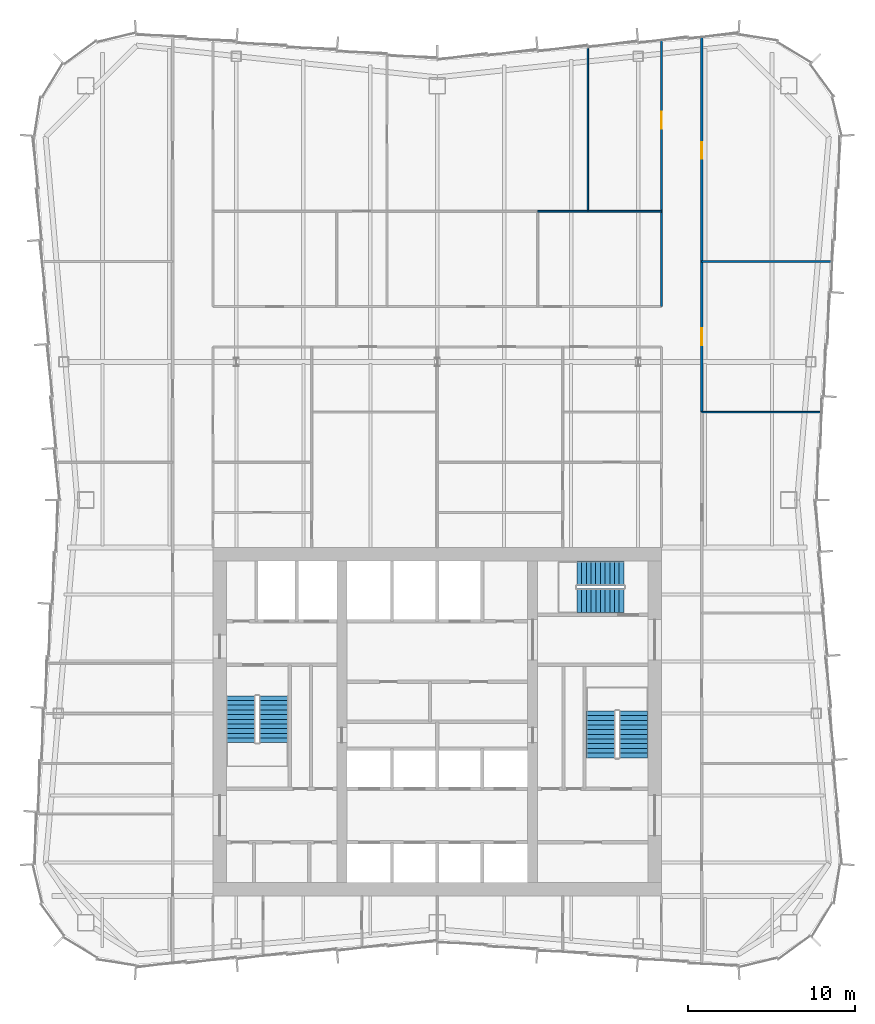
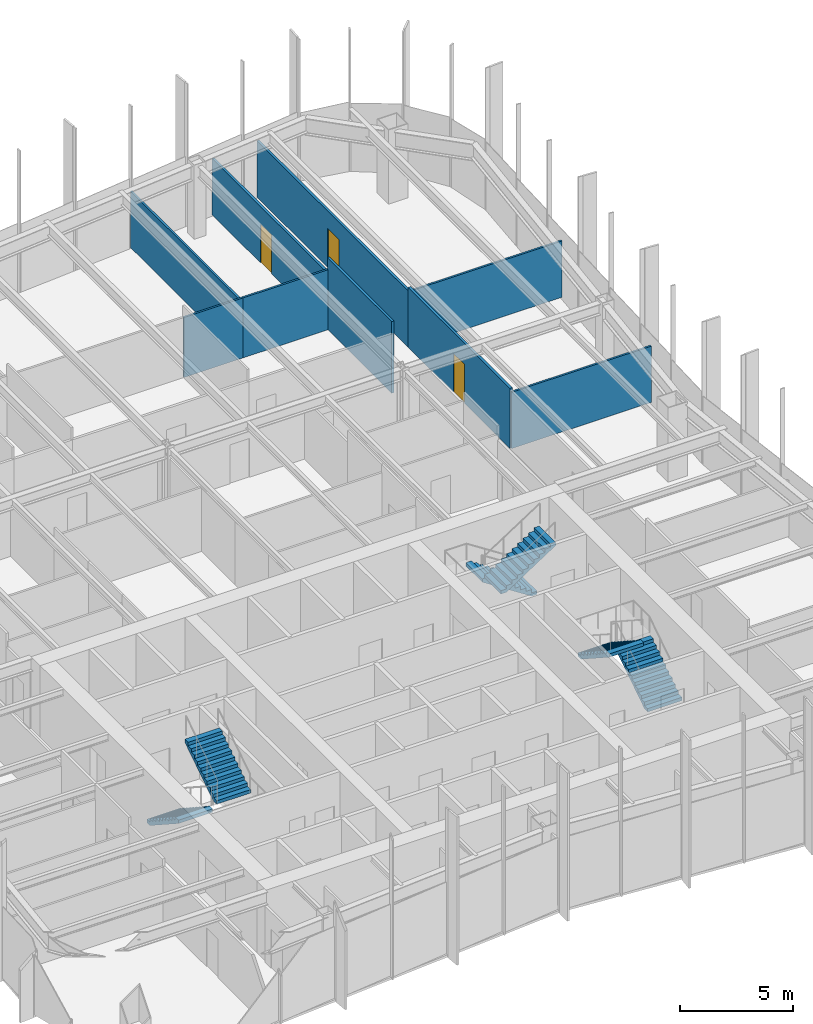
# One storey, part 14 of 15: 9 walls, 6 stair flights, 3 doors, 3 openings, 3 elements without a shape of their own.
"""IFC4 building model written with IfcOpenShell, lengths in metres."""

from ifc_helpers import new_model, si_unit, direction, frame, frame_2d, origin, place, context, subcontext, project, spatial, polyline, rectangle, outline, extrude, material, layer, layer_set, type_object, element, fill, aggregate, save


model = new_model("IFC4")

# Units and contexts
model_context = context("Model", 3, precision=1e-05, world=origin(), true_north=direction((0.0, 1.0)))
body_context = subcontext(model_context, "Body", "Model", "MODEL_VIEW")
ifc_project = project(units=[si_unit("LENGTHUNIT", "METRE"), si_unit("AREAUNIT", "SQUARE_METRE"), si_unit("VOLUMEUNIT", "CUBIC_METRE"), si_unit("PLANEANGLEUNIT", "RADIAN"), si_unit("MASSUNIT", "GRAM", prefix="KILO")], contexts=[model_context])

# Site, building, storey
site_placement = place(None, origin())
site = spatial("IfcSite", under=ifc_project, at=site_placement, CompositionType="ELEMENT")
building_placement = place(site_placement, origin())
building = spatial("IfcBuilding", under=site, at=building_placement, Name="Verdant Reach Tower", CompositionType="ELEMENT")
storey_placement = place(building_placement, frame((0.0, 0.0, 274.0)))
storey = spatial("IfcBuildingStorey", under=building, at=storey_placement, Name="L63", CompositionType="ELEMENT", Elevation=274.0)

# Walls
ifc_material_1 = material(Name="Gypsum board on steel studs", Category="steel")
ifc_layer_1 = layer(ifc_material_1, 0.10009765625)
ifc_layer_set_1 = layer_set([ifc_layer_1], Name="FL-W1 Partition 100")
wall_type_1 = type_object("IfcWallType", Name="FL-W1 Partition 100", PredefinedType="PARTITIONING", material=ifc_layer_set_1)
wall_1_placement = place(storey_placement, frame((22.942138671875, 46.5, 0.0), z_axis=(0.0, 0.0, 1.0), x_axis=(-1.0, 0.0, 0.0)))
element("IfcWall", 1, at=wall_1_placement, inside=storey, type_object=wall_type_1, Name="Partition 63.41", PredefinedType="PARTITIONING", context=body_context, shape_type="SweptSolid", body=[
    extrude(rectangle(XDim=7.14208984375, YDim=0.10009765625, at=frame_2d((3.571044921875, 0.0))), origin(), (0.0, 0.0, 1.0), 3.0400390625),
])
wall_2_placement = place(storey_placement, frame((23.562744140625, 55.5, 0.0), z_axis=(0.0, 0.0, 1.0), x_axis=(-1.0, 0.0, 0.0)))
element("IfcWall", 2, at=wall_2_placement, inside=storey, type_object=wall_type_1, Name="Partition 63.42", PredefinedType="PARTITIONING", context=body_context, shape_type="SweptSolid", body=[
    extrude(rectangle(XDim=7.7626953125, YDim=0.10009765625, at=frame_2d((3.88134765625, 0.0))), origin(), (0.0, 0.0, 1.0), 3.0400390625),
])
wall_3_placement = place(storey_placement, frame((9.0, 58.5, 0.0), z_axis=(0.0, 0.0, 1.0), x_axis=(-1.0, 0.0, 0.0)))
element("IfcWall", 3, at=wall_3_placement, inside=storey, type_object=wall_type_1, Name="Partition 63.72", PredefinedType="PARTITIONING", context=body_context, shape_type="SweptSolid", body=[
    extrude(rectangle(XDim=3.00390625, YDim=0.10009765625, at=frame_2d((1.501953125, 0.0))), origin(), (0.0, 0.0, 1.0), 3.239990234375),
])
wall_4_placement = place(storey_placement, frame((13.39990234375, 58.5, 0.0), z_axis=(0.0, 0.0, 1.0), x_axis=(-1.0, 0.0, 0.0)))
element("IfcWall", 4, at=wall_4_placement, inside=storey, type_object=wall_type_1, Name="Partition 63.73", PredefinedType="PARTITIONING", context=body_context, shape_type="SweptSolid", body=[
    extrude(rectangle(XDim=4.39990234375, YDim=0.10009765625, at=frame_2d((2.199951171875, 0.0))), origin(), (0.0, 0.0, 1.0), 3.239990234375),
])
wall_5_placement = place(storey_placement, frame((9.0, 58.5, 0.0), z_axis=(0.0, 0.0, 1.0), x_axis=(0.0, 1.0, 0.0)))
element("IfcWall", 5, at=wall_5_placement, inside=storey, type_object=wall_type_1, Name="Partition 63.75", PredefinedType="PARTITIONING", context=body_context, shape_type="SweptSolid", body=[
    extrude(rectangle(XDim=9.830078125, YDim=0.10009765625, at=frame_2d((4.9150390625, 0.0))), origin(), (0.0, 0.0, 1.0), 3.0400390625),
])

# Wall, opening, door
ifc_material_2 = material(Name="Gypsum board on steel studs, fire rated", Category="steel")
ifc_layer_2 = layer(ifc_material_2, 0.125)
ifc_layer_set_2 = layer_set([ifc_layer_2], Name="FL-W2 Corridor wall 125")
wall_type_2 = type_object("IfcWallType", Name="FL-W2 Corridor wall 125", PredefinedType="PARTITIONING", material=ifc_layer_set_2)
wall_6_placement = place(storey_placement, frame((15.800048828125, 55.5, 0.0), z_axis=(0.0, 0.0, 1.0), x_axis=(0.0, -1.0, 0.0)))
wall_6 = element("IfcWall", 6, at=wall_6_placement, inside=storey, type_object=wall_type_2, Name="Partition 63.11", PredefinedType="PARTITIONING", context=body_context, shape_type="SweptSolid", body=[
    extrude(rectangle(XDim=9.0, YDim=0.125, at=frame_2d((4.5, 0.0))), origin(), (0.0, 0.0, 1.0), 3.239990234375),
])
opening_1_placement = place(wall_6_placement, frame((4.0, 0.0, 0.0)))
opening_1 = element("IfcOpeningElement", 7, at=opening_1_placement, cuts=wall_6, Name="Opening D2", PredefinedType="OPENING", context=body_context, shape_type="SweptSolid", body=[
    extrude(rectangle(XDim=1.0, YDim=2.10009765625, at=frame_2d((0.5, 1.050048828125))), frame((0.0, 0.072509765625, 0.0), z_axis=(0.0, -1.0, 0.0), x_axis=(1.0, 0.0, 0.0)), (0.0, 0.0, 1.0), 0.14501953125),
])
ifc_material_3 = material(Name="Timber door leaf, fire rated", Category="wood")
door_type = type_object("IfcDoorType", Name="FL-D2 Entrance door 1000x2100 FD30", OperationType="NOTDEFINED", PredefinedType="DOOR", material=ifc_material_3)
door_1_placement = place(opening_1_placement, origin())
door_1 = element("IfcDoor", 8, at=door_1_placement, inside=storey, type_object=door_type, Name="Door 63-011", OperationType="SINGLE_SWING_LEFT", OverallHeight=2.10009765625, OverallWidth=1.0, PredefinedType="DOOR", context=body_context, shape_type="SweptSolid", body=[
    extrude(rectangle(XDim=1.0, YDim=2.10009765625, at=frame_2d((0.5, 1.050048828125))), frame((0.0, 0.02490234375, 0.0), z_axis=(0.0, -1.0, 0.0), x_axis=(1.0, 0.0, 0.0)), (0.0, 0.0, 1.0), 0.050048828125),
])
fill(opening_1, door_1)

wall_7_placement = place(storey_placement, frame((15.800048828125, 68.896728515625, 0.0), z_axis=(0.0, 0.0, 1.0), x_axis=(0.0, -1.0, 0.0)))
wall_7 = element("IfcWall", 9, at=wall_7_placement, inside=storey, type_object=wall_type_2, Name="Partition 63.12", PredefinedType="PARTITIONING", context=body_context, shape_type="SweptSolid", body=[
    extrude(rectangle(XDim=13.396728515625, YDim=0.125, at=frame_2d((6.6982421875, 0.0))), origin(), (0.0, 0.0, 1.0), 3.0400390625),
])
opening_2_placement = place(wall_7_placement, frame((6.263427734375, 0.0, 0.0)))
opening_2 = element("IfcOpeningElement", 10, at=opening_2_placement, cuts=wall_7, Name="Opening D2", PredefinedType="OPENING", context=body_context, shape_type="SweptSolid", body=[
    extrude(rectangle(XDim=1.0, YDim=2.10009765625, at=frame_2d((0.5, 1.050048828125))), frame((0.0, 0.072509765625, 0.0), z_axis=(0.0, -1.0, 0.0), x_axis=(1.0, 0.0, 0.0)), (0.0, 0.0, 1.0), 0.14501953125),
])
door_2_placement = place(opening_2_placement, origin())
door_2 = element("IfcDoor", 11, at=door_2_placement, inside=storey, type_object=door_type, Name="Door 63-012", OperationType="SINGLE_SWING_RIGHT", OverallHeight=2.10009765625, OverallWidth=1.0, PredefinedType="DOOR", context=body_context, shape_type="SweptSolid", body=[
    extrude(rectangle(XDim=1.0, YDim=2.10009765625, at=frame_2d((0.5, 1.050048828125))), frame((0.0, 0.02490234375, 0.0), z_axis=(0.0, -1.0, 0.0), x_axis=(1.0, 0.0, 0.0)), (0.0, 0.0, 1.0), 0.050048828125),
])
fill(opening_2, door_2)

# Wall
wall_8_placement = place(storey_placement, frame((13.39990234375, 52.800048828125, 0.0), z_axis=(0.0, 0.0, 1.0), x_axis=(0.0, 1.0, 0.0)))
element("IfcWall", 12, at=wall_8_placement, inside=storey, type_object=wall_type_2, Name="Partition 63.29", PredefinedType="PARTITIONING", context=body_context, shape_type="SweptSolid", body=[
    extrude(rectangle(XDim=5.699951171875, YDim=0.125, at=frame_2d((2.85009765625, 0.0))), origin(), (0.0, 0.0, 1.0), 3.8701171875),
])

# Wall, opening, door
wall_9_placement = place(storey_placement, frame((13.39990234375, 58.5, 0.0), z_axis=(0.0, 0.0, 1.0), x_axis=(0.0, 1.0, 0.0)))
wall_9 = element("IfcWall", 13, at=wall_9_placement, inside=storey, type_object=wall_type_2, Name="Partition 63.32", PredefinedType="PARTITIONING", context=body_context, shape_type="SweptSolid", body=[
    extrude(rectangle(XDim=10.19677734375, YDim=0.125, at=frame_2d((5.098388671875, 0.0))), origin(), (0.0, 0.0, 1.0), 3.0400390625),
])
opening_3_placement = place(wall_9_placement, frame((4.93310546875, 0.0, 0.0)))
opening_3 = element("IfcOpeningElement", 14, at=opening_3_placement, cuts=wall_9, Name="Opening D2", PredefinedType="OPENING", context=body_context, shape_type="SweptSolid", body=[
    extrude(rectangle(XDim=1.0, YDim=2.10009765625, at=frame_2d((0.5, 1.050048828125))), frame((0.0, 0.072509765625, 0.0), z_axis=(0.0, -1.0, 0.0), x_axis=(1.0, 0.0, 0.0)), (0.0, 0.0, 1.0), 0.14501953125),
])
door_3_placement = place(opening_3_placement, origin())
door_3 = element("IfcDoor", 15, at=door_3_placement, inside=storey, type_object=door_type, Name="Door 63-025", OperationType="SINGLE_SWING_RIGHT", OverallHeight=2.10009765625, OverallWidth=1.0, PredefinedType="DOOR", context=body_context, shape_type="SweptSolid", body=[
    extrude(rectangle(XDim=1.0, YDim=2.10009765625, at=frame_2d((0.5, 1.050048828125))), frame((0.0, 0.02490234375, 0.0), z_axis=(0.0, -1.0, 0.0), x_axis=(1.0, 0.0, 0.0)), (0.0, 0.0, 1.0), 0.050048828125),
])
fill(opening_3, door_3)

# Stair, stair flights
ifc_material_4 = material(Name="Concrete C40/50", Category="concrete")
stair_type = type_object("IfcStairType", Name="CO-STAIR", PredefinedType="HALF_TURN_STAIR", material=ifc_material_4)
stair_1_placement = place(storey_placement, origin())
stair_1 = element("IfcStair", 16, at=stair_1_placement, inside=storey, type_object=stair_type, Name="L63 Exit stair 1", PredefinedType="HALF_TURN_STAIR")
stair_flight_type = type_object("IfcStairFlightType", Name="CO-STAIR-FLIGHT", PredefinedType="STRAIGHT", material=ifc_material_4)
stair_flight_1_placement = place(storey_placement, frame((-11.72509765625, 29.550048828125, 0.0), z_axis=(0.0, 0.0, 1.0), x_axis=(0.0, -1.0, 0.0)))
stair_flight_1 = element("IfcStairFlight", 17, at=stair_flight_1_placement, type_object=stair_flight_type, Name="ST-1 flight 1", NumberOfRisers=11, NumberOfTreads=10, PredefinedType="STRAIGHT", RiserHeight=0.181818182, TreadLength=0.28, context=body_context, shape_type="SweptSolid", body=[
    extrude(outline(polyline([(0.0, 0.0), (0.0, 0.181884765625), (0.280029296875, 0.181884765625), (0.280029296875, 0.363525390625), (0.56005859375, 0.363525390625), (0.56005859375, 0.54541015625), (0.840087890625, 0.54541015625), (0.840087890625, 0.727294921875), (1.1201171875, 0.727294921875), (1.1201171875, 0.9091796875), (1.39990234375, 0.9091796875), (1.39990234375, 1.0908203125), (1.679931640625, 1.0908203125), (1.679931640625, 1.272705078125), (1.9599609375, 1.272705078125), (1.9599609375, 1.45458984375), (2.239990234375, 1.45458984375), (2.239990234375, 1.636474609375), (2.52001953125, 1.636474609375), (2.52001953125, 1.818115234375), (2.800048828125, 1.818115234375), (2.800048828125, 2.0), (2.800048828125, 1.639404296875), (0.275146484375, 0.0), (0.0, 0.0)])), frame((0.0, 0.875, 0.0), z_axis=(0.0, -1.0, 0.0), x_axis=(1.0, 0.0, 0.0)), (0.0, 0.0, 1.0), 1.75),
])
stair_flight_2_placement = place(storey_placement, frame((-9.77490234375, 26.75, 2.0), z_axis=(0.0, 0.0, 1.0), x_axis=(0.0, 1.0, 0.0)))
stair_flight_2 = element("IfcStairFlight", 18, at=stair_flight_2_placement, type_object=stair_flight_type, Name="ST-1 flight 2", NumberOfRisers=11, NumberOfTreads=10, PredefinedType="STRAIGHT", RiserHeight=0.181818182, TreadLength=0.28, context=body_context, shape_type="SweptSolid", body=[
    extrude(outline(polyline([(0.0, 0.0), (0.0, 0.181884765625), (0.280029296875, 0.181884765625), (0.280029296875, 0.363525390625), (0.56005859375, 0.363525390625), (0.56005859375, 0.54541015625), (0.840087890625, 0.54541015625), (0.840087890625, 0.727294921875), (1.1201171875, 0.727294921875), (1.1201171875, 0.9091796875), (1.39990234375, 0.9091796875), (1.39990234375, 1.0908203125), (1.679931640625, 1.0908203125), (1.679931640625, 1.272705078125), (1.9599609375, 1.272705078125), (1.9599609375, 1.45458984375), (2.239990234375, 1.45458984375), (2.239990234375, 1.636474609375), (2.52001953125, 1.636474609375), (2.52001953125, 1.818115234375), (2.800048828125, 1.818115234375), (2.800048828125, 2.0), (2.800048828125, 1.639404296875), (0.275146484375, 0.0), (0.0, 0.0)])), frame((0.0, 0.875, 0.0), z_axis=(0.0, -1.0, 0.0), x_axis=(1.0, 0.0, 0.0)), (0.0, 0.0, 1.0), 1.75),
])
aggregate(stair_1, [stair_flight_1, stair_flight_2])

stair_2_placement = place(storey_placement, origin())
stair_2 = element("IfcStair", 19, at=stair_2_placement, inside=storey, type_object=stair_type, Name="L63 Exit stair 2", PredefinedType="HALF_TURN_STAIR")
stair_flight_3_placement = place(storey_placement, frame((11.72509765625, 25.85009765625, 0.0), z_axis=(0.0, 0.0, 1.0), x_axis=(0.0, 1.0, 0.0)))
stair_flight_3 = element("IfcStairFlight", 20, at=stair_flight_3_placement, type_object=stair_flight_type, Name="ST-2 flight 1", NumberOfRisers=11, NumberOfTreads=10, PredefinedType="STRAIGHT", RiserHeight=0.181818182, TreadLength=0.28, context=body_context, shape_type="SweptSolid", body=[
    extrude(outline(polyline([(0.0, 0.0), (0.0, 0.181884765625), (0.280029296875, 0.181884765625), (0.280029296875, 0.363525390625), (0.56005859375, 0.363525390625), (0.56005859375, 0.54541015625), (0.840087890625, 0.54541015625), (0.840087890625, 0.727294921875), (1.1201171875, 0.727294921875), (1.1201171875, 0.9091796875), (1.39990234375, 0.9091796875), (1.39990234375, 1.0908203125), (1.679931640625, 1.0908203125), (1.679931640625, 1.272705078125), (1.9599609375, 1.272705078125), (1.9599609375, 1.45458984375), (2.239990234375, 1.45458984375), (2.239990234375, 1.636474609375), (2.52001953125, 1.636474609375), (2.52001953125, 1.818115234375), (2.800048828125, 1.818115234375), (2.800048828125, 2.0), (2.800048828125, 1.639404296875), (0.275146484375, 0.0), (0.0, 0.0)])), frame((0.0, 0.875, 0.0), z_axis=(0.0, -1.0, 0.0), x_axis=(1.0, 0.0, 0.0)), (0.0, 0.0, 1.0), 1.75),
])
stair_flight_4_placement = place(storey_placement, frame((9.77490234375, 28.64990234375, 2.0), z_axis=(0.0, 0.0, 1.0), x_axis=(0.0, -1.0, 0.0)))
stair_flight_4 = element("IfcStairFlight", 21, at=stair_flight_4_placement, type_object=stair_flight_type, Name="ST-2 flight 2", NumberOfRisers=11, NumberOfTreads=10, PredefinedType="STRAIGHT", RiserHeight=0.181818182, TreadLength=0.28, context=body_context, shape_type="SweptSolid", body=[
    extrude(outline(polyline([(0.0, 0.0), (0.0, 0.181884765625), (0.280029296875, 0.181884765625), (0.280029296875, 0.363525390625), (0.56005859375, 0.363525390625), (0.56005859375, 0.54541015625), (0.840087890625, 0.54541015625), (0.840087890625, 0.727294921875), (1.1201171875, 0.727294921875), (1.1201171875, 0.9091796875), (1.39990234375, 0.9091796875), (1.39990234375, 1.0908203125), (1.679931640625, 1.0908203125), (1.679931640625, 1.272705078125), (1.9599609375, 1.272705078125), (1.9599609375, 1.45458984375), (2.239990234375, 1.45458984375), (2.239990234375, 1.636474609375), (2.52001953125, 1.636474609375), (2.52001953125, 1.818115234375), (2.800048828125, 1.818115234375), (2.800048828125, 2.0), (2.800048828125, 1.639404296875), (0.275146484375, 0.0), (0.0, 0.0)])), frame((0.0, 0.875, 0.0), z_axis=(0.0, -1.0, 0.0), x_axis=(1.0, 0.0, 0.0)), (0.0, 0.0, 1.0), 1.75),
])
aggregate(stair_2, [stair_flight_3, stair_flight_4])

stair_3_placement = place(storey_placement, origin())
stair_3 = element("IfcStair", 22, at=stair_3_placement, inside=storey, type_object=stair_type, Name="L63 Exit stair 3", PredefinedType="HALF_TURN_STAIR")
stair_flight_5_placement = place(storey_placement, frame((11.14990234375, 36.875, 0.0), z_axis=(0.0, 0.0, 1.0), x_axis=(-1.0, 0.0, 0.0)))
stair_flight_5 = element("IfcStairFlight", 23, at=stair_flight_5_placement, type_object=stair_flight_type, Name="ST-3 flight 1", NumberOfRisers=11, NumberOfTreads=10, PredefinedType="STRAIGHT", RiserHeight=0.181818182, TreadLength=0.28, context=body_context, shape_type="SweptSolid", body=[
    extrude(outline(polyline([(0.0, 0.0), (0.0, 0.181884765625), (0.280029296875, 0.181884765625), (0.280029296875, 0.363525390625), (0.56005859375, 0.363525390625), (0.56005859375, 0.54541015625), (0.840087890625, 0.54541015625), (0.840087890625, 0.727294921875), (1.1201171875, 0.727294921875), (1.1201171875, 0.9091796875), (1.39990234375, 0.9091796875), (1.39990234375, 1.0908203125), (1.679931640625, 1.0908203125), (1.679931640625, 1.272705078125), (1.9599609375, 1.272705078125), (1.9599609375, 1.45458984375), (2.239990234375, 1.45458984375), (2.239990234375, 1.636474609375), (2.52001953125, 1.636474609375), (2.52001953125, 1.818115234375), (2.800048828125, 1.818115234375), (2.800048828125, 2.0), (2.800048828125, 1.639404296875), (0.275146484375, 0.0), (0.0, 0.0)])), frame((0.0, 0.72509765625, 0.0), z_axis=(0.0, -1.0, 0.0), x_axis=(1.0, 0.0, 0.0)), (0.0, 0.0, 1.0), 1.449951171875),
])
stair_flight_6_placement = place(storey_placement, frame((8.35009765625, 35.22509765625, 2.0), z_axis=(0.0, 0.0, 1.0), x_axis=(1.0, 0.0, 0.0)))
stair_flight_6 = element("IfcStairFlight", 24, at=stair_flight_6_placement, type_object=stair_flight_type, Name="ST-3 flight 2", NumberOfRisers=11, NumberOfTreads=10, PredefinedType="STRAIGHT", RiserHeight=0.181818182, TreadLength=0.28, context=body_context, shape_type="SweptSolid", body=[
    extrude(outline(polyline([(0.0, 0.0), (0.0, 0.181884765625), (0.280029296875, 0.181884765625), (0.280029296875, 0.363525390625), (0.56005859375, 0.363525390625), (0.56005859375, 0.54541015625), (0.840087890625, 0.54541015625), (0.840087890625, 0.727294921875), (1.1201171875, 0.727294921875), (1.1201171875, 0.9091796875), (1.39990234375, 0.9091796875), (1.39990234375, 1.0908203125), (1.679931640625, 1.0908203125), (1.679931640625, 1.272705078125), (1.9599609375, 1.272705078125), (1.9599609375, 1.45458984375), (2.239990234375, 1.45458984375), (2.239990234375, 1.636474609375), (2.52001953125, 1.636474609375), (2.52001953125, 1.818115234375), (2.800048828125, 1.818115234375), (2.800048828125, 2.0), (2.800048828125, 1.639404296875), (0.275146484375, 0.0), (0.0, 0.0)])), frame((0.0, 0.72509765625, 0.0), z_axis=(0.0, -1.0, 0.0), x_axis=(1.0, 0.0, 0.0)), (0.0, 0.0, 1.0), 1.449951171875),
])
aggregate(stair_3, [stair_flight_5, stair_flight_6])

save(model, "model.ifc")
